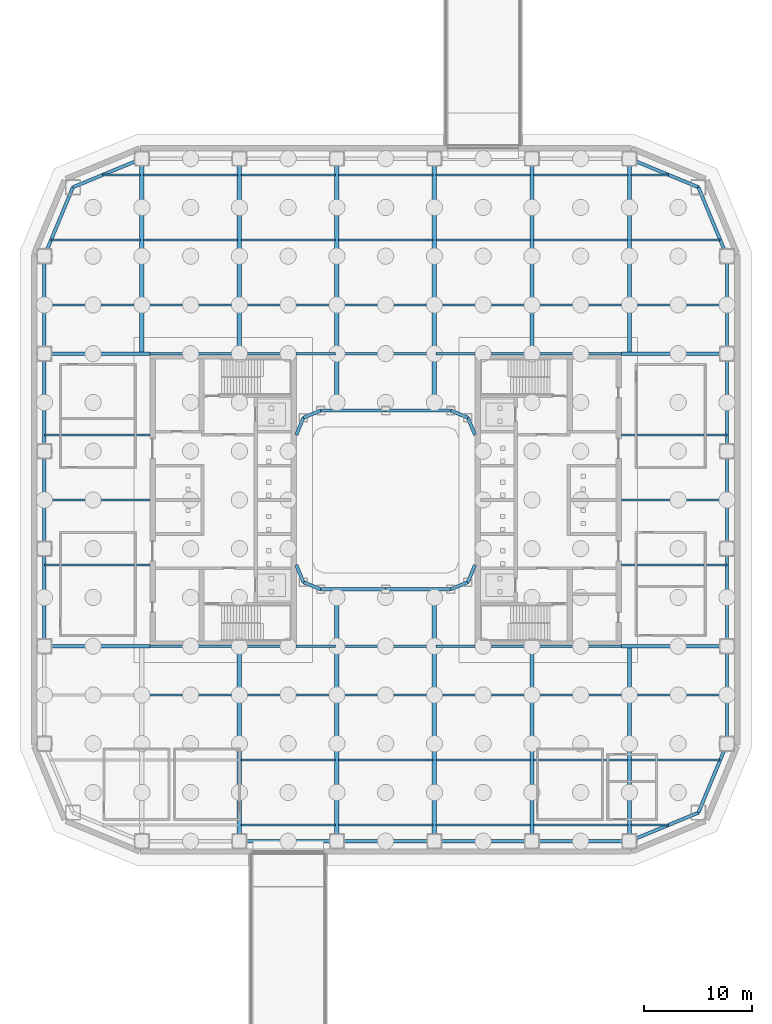
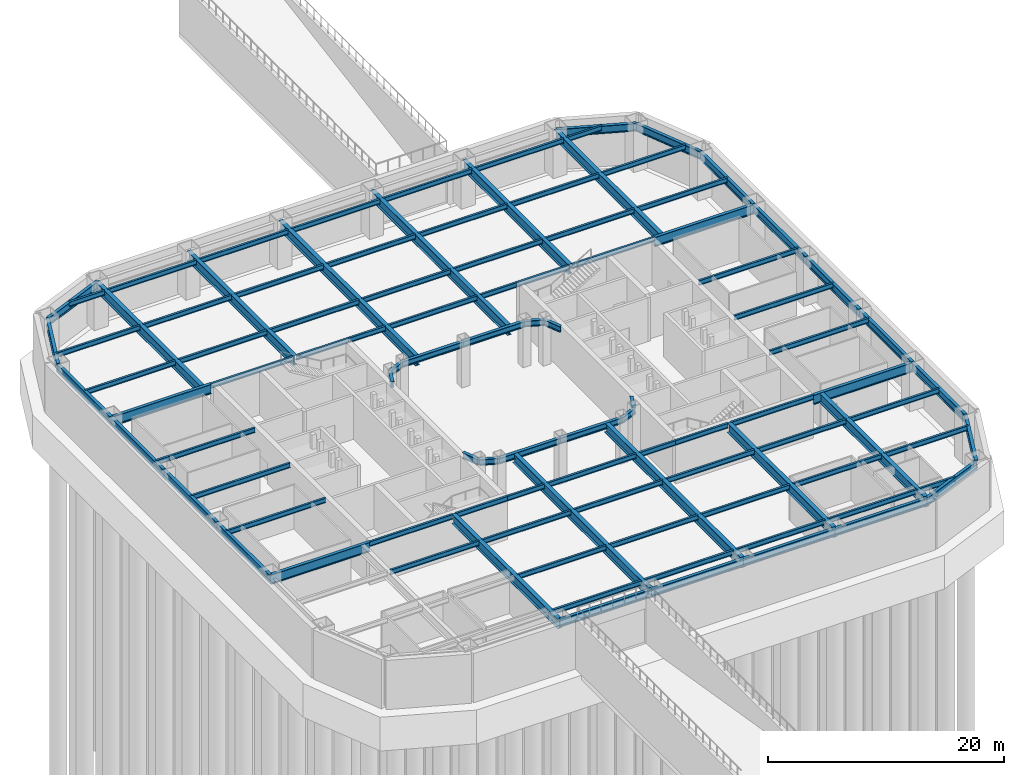
# One storey, part 2 of 10: 103 beams.
"""IFC4 building model written with IfcOpenShell, lengths in metres."""

from ifc_helpers import new_model, si_unit, direction, frame, origin, origin_2d, place, context, subcontext, project, spatial, i_section, extrude, material, material_profile, profile_set, type_object, element, save


model = new_model("IFC4")

# Units and contexts
model_context = context("Model", 3, precision=1e-05, world=origin(), true_north=direction((0.0, 1.0)))
body_context = subcontext(model_context, "Body", "Model", "MODEL_VIEW")
ifc_project = project(units=[si_unit("LENGTHUNIT", "METRE"), si_unit("AREAUNIT", "SQUARE_METRE"), si_unit("VOLUMEUNIT", "CUBIC_METRE"), si_unit("PLANEANGLEUNIT", "RADIAN"), si_unit("MASSUNIT", "GRAM", prefix="KILO")], contexts=[model_context])

# Site, building, storey
site_placement = place(None, origin())
site = spatial("IfcSite", under=ifc_project, at=site_placement, CompositionType="ELEMENT")
building_placement = place(site_placement, origin())
building = spatial("IfcBuilding", under=site, at=building_placement, Name="Siwar Civic Tower", CompositionType="ELEMENT")
storey_placement = place(building_placement, frame((0.0, 0.0, -5.0)))
storey = spatial("IfcBuildingStorey", under=building, at=storey_placement, Name="B1", CompositionType="ELEMENT", Elevation=-5.0)

# Beams
ifc_material_1 = material(Name="Steel S355", Category="steel")
ifc_material_profile_1 = material_profile(ifc_material_1, i_section(OverallWidth=0.199951171875, OverallDepth=0.5, WebThickness=0.01025390625, FlangeThickness=0.01611328125, FilletRadius=0.02099609375, at=origin_2d()), Name="IPE500")
ifc_profile_set_1 = profile_set([ifc_material_profile_1], Name="Steel S355")
beam_type_1 = type_object("IfcBeamType", Name="STR-FB-IPE500", PredefinedType="JOIST", material=ifc_profile_set_1)
for number, where, z_axis, x_axis, name in (
    (1, (-13.3701171875, -30.0, 4.300048828125), (1.0, 0.0, 0.0), (0.0, 1.0, 0.0), "B1/bm/F003"),
    (2, (-4.3701171875, -30.0, 4.300048828125), (1.0, 0.0, 0.0), (0.0, 1.0, 0.0), "B1/bm/F004"),
    (3, (4.6298828125, -30.0, 4.300048828125), (1.0, 0.0, 0.0), (0.0, 1.0, 0.0), "B1/bm/F005"),
    (4, (13.6298828125, -30.0, 4.300048828125), (1.0, 0.0, 0.0), (0.0, 1.0, 0.0), "B1/bm/F006"),
):
    element("IfcBeam", number, at=place(storey_placement, frame(where, z_axis=z_axis, x_axis=x_axis)), inside=storey, type_object=beam_type_1, Name=name, PredefinedType="JOIST", context=body_context, shape_type="SweptSolid", body=[
        extrude(i_section(OverallWidth=0.199951171875, OverallDepth=0.5, WebThickness=0.01025390625, FlangeThickness=0.01611328125, FilletRadius=0.02099609375, at=origin_2d()), origin(), (0.0, 0.0, 1.0), 8.740234375),
    ])
beam_1_placement = place(storey_placement, frame((22.6298828125, -30.0, 4.300048828125), z_axis=(1.0, 0.0, 0.0), x_axis=(0.0, 1.0, 0.0)))
element("IfcBeam", 5, at=beam_1_placement, inside=storey, type_object=beam_type_1, Name="B1/bm/F007", PredefinedType="JOIST", context=body_context, shape_type="SweptSolid", body=[
    extrude(i_section(OverallWidth=0.199951171875, OverallDepth=0.5, WebThickness=0.01025390625, FlangeThickness=0.01611328125, FilletRadius=0.02099609375, at=origin_2d()), origin(), (0.0, 0.0, 1.0), 3.491455078125),
])
for number, where, z_axis, x_axis, name in (
    (6, (-13.3701171875, -24.0, 4.300048828125), (1.0, 0.0, 0.0), (0.0, 1.0, 0.0), "B1/bm/F010"),
    (7, (-4.3701171875, -24.0, 4.300048828125), (1.0, 0.0, 0.0), (0.0, 1.0, 0.0), "B1/bm/F011"),
    (8, (4.6298828125, -24.0, 4.300048828125), (1.0, 0.0, 0.0), (0.0, 1.0, 0.0), "B1/bm/F012"),
    (9, (13.6298828125, -24.0, 4.300048828125), (1.0, 0.0, 0.0), (0.0, 1.0, 0.0), "B1/bm/F013"),
):
    element("IfcBeam", number, at=place(storey_placement, frame(where, z_axis=z_axis, x_axis=x_axis)), inside=storey, type_object=beam_type_1, Name=name, PredefinedType="JOIST", context=body_context, shape_type="SweptSolid", body=[
        extrude(i_section(OverallWidth=0.199951171875, OverallDepth=0.5, WebThickness=0.01025390625, FlangeThickness=0.01611328125, FilletRadius=0.02099609375, at=origin_2d()), origin(), (0.0, 0.0, 1.0), 8.740234375),
    ])
beam_2_placement = place(storey_placement, frame((22.6298828125, -24.0, 4.300048828125), z_axis=(1.0, 0.0, 0.0), x_axis=(0.0, 1.0, 0.0)))
element("IfcBeam", 10, at=beam_2_placement, inside=storey, type_object=beam_type_1, Name="B1/bm/F014", PredefinedType="JOIST", context=body_context, shape_type="SweptSolid", body=[
    extrude(i_section(OverallWidth=0.199951171875, OverallDepth=0.5, WebThickness=0.01025390625, FlangeThickness=0.01611328125, FilletRadius=0.02099609375, at=origin_2d()), origin(), (0.0, 0.0, 1.0), 8.248779296875),
])
for number, where, z_axis, x_axis, name in (
    (11, (-22.3701171875, -18.0, 4.300048828125), (1.0, 0.0, 0.0), (0.0, 1.0, 0.0), "B1/bm/F016"),
    (12, (-13.3701171875, -18.0, 4.300048828125), (1.0, 0.0, 0.0), (0.0, 1.0, 0.0), "B1/bm/F017"),
    (13, (-4.3701171875, -18.0, 4.300048828125), (1.0, 0.0, 0.0), (0.0, 1.0, 0.0), "B1/bm/F018"),
    (14, (4.6298828125, -18.0, 4.300048828125), (1.0, 0.0, 0.0), (0.0, 1.0, 0.0), "B1/bm/F019"),
    (15, (13.6298828125, -18.0, 4.300048828125), (1.0, 0.0, 0.0), (0.0, 1.0, 0.0), "B1/bm/F020"),
):
    element("IfcBeam", number, at=place(storey_placement, frame(where, z_axis=z_axis, x_axis=x_axis)), inside=storey, type_object=beam_type_1, Name=name, PredefinedType="JOIST", context=body_context, shape_type="SweptSolid", body=[
        extrude(i_section(OverallWidth=0.199951171875, OverallDepth=0.5, WebThickness=0.01025390625, FlangeThickness=0.01611328125, FilletRadius=0.02099609375, at=origin_2d()), origin(), (0.0, 0.0, 1.0), 8.740234375),
    ])
beam_3_placement = place(storey_placement, frame((22.6298828125, -18.0, 4.300048828125), z_axis=(1.0, 0.0, 0.0), x_axis=(0.0, 1.0, 0.0)))
element("IfcBeam", 16, at=beam_3_placement, inside=storey, type_object=beam_type_1, Name="B1/bm/F021", PredefinedType="JOIST", context=body_context, shape_type="SweptSolid", body=[
    extrude(i_section(OverallWidth=0.199951171875, OverallDepth=0.5, WebThickness=0.01025390625, FlangeThickness=0.01611328125, FilletRadius=0.02099609375, at=origin_2d()), origin(), (0.0, 0.0, 1.0), 8.8701171875),
])
beam_4_placement = place(storey_placement, frame((-21.75, -13.5, 4.300048828125), z_axis=(1.0, 0.0, 0.0), x_axis=(0.0, 1.0, 0.0)))
element("IfcBeam", 17, at=beam_4_placement, inside=storey, type_object=beam_type_1, Name="B1/bm/F023", PredefinedType="JOIST", context=body_context, shape_type="SweptSolid", body=[
    extrude(i_section(OverallWidth=0.199951171875, OverallDepth=0.5, WebThickness=0.01025390625, FlangeThickness=0.01611328125, FilletRadius=0.02099609375, at=origin_2d()), origin(), (0.0, 0.0, 1.0), 8.1201171875),
])
beam_5_placement = place(storey_placement, frame((-13.3701171875, -13.5, 4.300048828125), z_axis=(1.0, 0.0, 0.0), x_axis=(0.0, 1.0, 0.0)))
element("IfcBeam", 18, at=beam_5_placement, inside=storey, type_object=beam_type_1, Name="B1/bm/F024", PredefinedType="JOIST", context=body_context, shape_type="SweptSolid", body=[
    extrude(i_section(OverallWidth=0.199951171875, OverallDepth=0.5, WebThickness=0.01025390625, FlangeThickness=0.01611328125, FilletRadius=0.02099609375, at=origin_2d()), origin(), (0.0, 0.0, 1.0), 5.1201171875),
])
beam_6_placement = place(storey_placement, frame((-8.25, -13.5, 4.300048828125), z_axis=(1.0, 0.0, 0.0), x_axis=(0.0, 1.0, 0.0)))
element("IfcBeam", 19, at=beam_6_placement, inside=storey, type_object=beam_type_1, Name="B1/bm/F025", PredefinedType="JOIST", context=body_context, shape_type="SweptSolid", body=[
    extrude(i_section(OverallWidth=0.199951171875, OverallDepth=0.5, WebThickness=0.01025390625, FlangeThickness=0.01611328125, FilletRadius=0.02099609375, at=origin_2d()), origin(), (0.0, 0.0, 1.0), 3.6201171875),
])
beam_7_placement = place(storey_placement, frame((-4.3701171875, -13.5, 4.300048828125), z_axis=(1.0, 0.0, 0.0), x_axis=(0.0, 1.0, 0.0)))
element("IfcBeam", 20, at=beam_7_placement, inside=storey, type_object=beam_type_1, Name="B1/bm/F026", PredefinedType="JOIST", context=body_context, shape_type="SweptSolid", body=[
    extrude(i_section(OverallWidth=0.199951171875, OverallDepth=0.5, WebThickness=0.01025390625, FlangeThickness=0.01611328125, FilletRadius=0.02099609375, at=origin_2d()), origin(), (0.0, 0.0, 1.0), 8.740234375),
])
beam_8_placement = place(storey_placement, frame((4.6298828125, -13.5, 4.300048828125), z_axis=(1.0, 0.0, 0.0), x_axis=(0.0, 1.0, 0.0)))
element("IfcBeam", 21, at=beam_8_placement, inside=storey, type_object=beam_type_1, Name="B1/bm/F027", PredefinedType="JOIST", context=body_context, shape_type="SweptSolid", body=[
    extrude(i_section(OverallWidth=0.199951171875, OverallDepth=0.5, WebThickness=0.01025390625, FlangeThickness=0.01611328125, FilletRadius=0.02099609375, at=origin_2d()), origin(), (0.0, 0.0, 1.0), 3.6201171875),
])
beam_9_placement = place(storey_placement, frame((8.25, -13.5, 4.300048828125), z_axis=(1.0, 0.0, 0.0), x_axis=(0.0, 1.0, 0.0)))
element("IfcBeam", 22, at=beam_9_placement, inside=storey, type_object=beam_type_1, Name="B1/bm/F028", PredefinedType="JOIST", context=body_context, shape_type="SweptSolid", body=[
    extrude(i_section(OverallWidth=0.199951171875, OverallDepth=0.5, WebThickness=0.01025390625, FlangeThickness=0.01611328125, FilletRadius=0.02099609375, at=origin_2d()), origin(), (0.0, 0.0, 1.0), 5.1201171875),
])
beam_10_placement = place(storey_placement, frame((13.6298828125, -13.5, 4.300048828125), z_axis=(1.0, 0.0, 0.0), x_axis=(0.0, 1.0, 0.0)))
element("IfcBeam", 23, at=beam_10_placement, inside=storey, type_object=beam_type_1, Name="B1/bm/F029", PredefinedType="JOIST", context=body_context, shape_type="SweptSolid", body=[
    extrude(i_section(OverallWidth=0.199951171875, OverallDepth=0.5, WebThickness=0.01025390625, FlangeThickness=0.01611328125, FilletRadius=0.02099609375, at=origin_2d()), origin(), (0.0, 0.0, 1.0), 8.1201171875),
])
for number, where, z_axis, x_axis, name in (
    (24, (-31.5, -6.0, 4.300048828125), (1.0, 0.0, 0.0), (0.0, 1.0, 0.0), "B1/bm/F031"),
    (25, (21.75, -6.0, 4.300048828125), (1.0, 0.0, 0.0), (0.0, 1.0, 0.0), "B1/bm/F032"),
    (26, (-31.5, 0.0, 4.300048828125), (1.0, 0.0, 0.0), (0.0, 1.0, 0.0), "B1/bm/F033"),
    (27, (21.75, 0.0, 4.300048828125), (1.0, 0.0, 0.0), (0.0, 1.0, 0.0), "B1/bm/F034"),
    (28, (-31.5, 6.0, 4.300048828125), (1.0, 0.0, 0.0), (0.0, 1.0, 0.0), "B1/bm/F035"),
    (29, (21.75, 6.0, 4.300048828125), (1.0, 0.0, 0.0), (0.0, 1.0, 0.0), "B1/bm/F036"),
):
    element("IfcBeam", number, at=place(storey_placement, frame(where, z_axis=z_axis, x_axis=x_axis)), inside=storey, type_object=beam_type_1, Name=name, PredefinedType="JOIST", context=body_context, shape_type="SweptSolid", body=[
        extrude(i_section(OverallWidth=0.199951171875, OverallDepth=0.5, WebThickness=0.01025390625, FlangeThickness=0.01611328125, FilletRadius=0.02099609375, at=origin_2d()), origin(), (0.0, 0.0, 1.0), 9.75),
    ])
beam_11_placement = place(storey_placement, frame((-21.75, 13.5, 4.300048828125), z_axis=(1.0, 0.0, 0.0), x_axis=(0.0, 1.0, 0.0)))
element("IfcBeam", 30, at=beam_11_placement, inside=storey, type_object=beam_type_1, Name="B1/bm/F038", PredefinedType="JOIST", context=body_context, shape_type="SweptSolid", body=[
    extrude(i_section(OverallWidth=0.199951171875, OverallDepth=0.5, WebThickness=0.01025390625, FlangeThickness=0.01611328125, FilletRadius=0.02099609375, at=origin_2d()), origin(), (0.0, 0.0, 1.0), 8.1201171875),
])
beam_12_placement = place(storey_placement, frame((-13.3701171875, 13.5, 4.300048828125), z_axis=(1.0, 0.0, 0.0), x_axis=(0.0, 1.0, 0.0)))
element("IfcBeam", 31, at=beam_12_placement, inside=storey, type_object=beam_type_1, Name="B1/bm/F039", PredefinedType="JOIST", context=body_context, shape_type="SweptSolid", body=[
    extrude(i_section(OverallWidth=0.199951171875, OverallDepth=0.5, WebThickness=0.01025390625, FlangeThickness=0.01611328125, FilletRadius=0.02099609375, at=origin_2d()), origin(), (0.0, 0.0, 1.0), 5.1201171875),
])
beam_13_placement = place(storey_placement, frame((-8.25, 13.5, 4.300048828125), z_axis=(1.0, 0.0, 0.0), x_axis=(0.0, 1.0, 0.0)))
element("IfcBeam", 32, at=beam_13_placement, inside=storey, type_object=beam_type_1, Name="B1/bm/F040", PredefinedType="JOIST", context=body_context, shape_type="SweptSolid", body=[
    extrude(i_section(OverallWidth=0.199951171875, OverallDepth=0.5, WebThickness=0.01025390625, FlangeThickness=0.01611328125, FilletRadius=0.02099609375, at=origin_2d()), origin(), (0.0, 0.0, 1.0), 3.6201171875),
])
beam_14_placement = place(storey_placement, frame((-4.3701171875, 13.5, 4.300048828125), z_axis=(1.0, 0.0, 0.0), x_axis=(0.0, 1.0, 0.0)))
element("IfcBeam", 33, at=beam_14_placement, inside=storey, type_object=beam_type_1, Name="B1/bm/F041", PredefinedType="JOIST", context=body_context, shape_type="SweptSolid", body=[
    extrude(i_section(OverallWidth=0.199951171875, OverallDepth=0.5, WebThickness=0.01025390625, FlangeThickness=0.01611328125, FilletRadius=0.02099609375, at=origin_2d()), origin(), (0.0, 0.0, 1.0), 8.740234375),
])
beam_15_placement = place(storey_placement, frame((4.6298828125, 13.5, 4.300048828125), z_axis=(1.0, 0.0, 0.0), x_axis=(0.0, 1.0, 0.0)))
element("IfcBeam", 34, at=beam_15_placement, inside=storey, type_object=beam_type_1, Name="B1/bm/F042", PredefinedType="JOIST", context=body_context, shape_type="SweptSolid", body=[
    extrude(i_section(OverallWidth=0.199951171875, OverallDepth=0.5, WebThickness=0.01025390625, FlangeThickness=0.01611328125, FilletRadius=0.02099609375, at=origin_2d()), origin(), (0.0, 0.0, 1.0), 3.6201171875),
])
beam_16_placement = place(storey_placement, frame((8.25, 13.5, 4.300048828125), z_axis=(1.0, 0.0, 0.0), x_axis=(0.0, 1.0, 0.0)))
element("IfcBeam", 35, at=beam_16_placement, inside=storey, type_object=beam_type_1, Name="B1/bm/F043", PredefinedType="JOIST", context=body_context, shape_type="SweptSolid", body=[
    extrude(i_section(OverallWidth=0.199951171875, OverallDepth=0.5, WebThickness=0.01025390625, FlangeThickness=0.01611328125, FilletRadius=0.02099609375, at=origin_2d()), origin(), (0.0, 0.0, 1.0), 5.1201171875),
])
beam_17_placement = place(storey_placement, frame((13.6298828125, 13.5, 4.300048828125), z_axis=(1.0, 0.0, 0.0), x_axis=(0.0, 1.0, 0.0)))
element("IfcBeam", 36, at=beam_17_placement, inside=storey, type_object=beam_type_1, Name="B1/bm/F044", PredefinedType="JOIST", context=body_context, shape_type="SweptSolid", body=[
    extrude(i_section(OverallWidth=0.199951171875, OverallDepth=0.5, WebThickness=0.01025390625, FlangeThickness=0.01611328125, FilletRadius=0.02099609375, at=origin_2d()), origin(), (0.0, 0.0, 1.0), 8.1201171875),
])
beam_18_placement = place(storey_placement, frame((-31.5, 18.0, 4.300048828125), z_axis=(1.0, 0.0, 0.0), x_axis=(0.0, 1.0, 0.0)))
element("IfcBeam", 37, at=beam_18_placement, inside=storey, type_object=beam_type_1, Name="B1/bm/F046", PredefinedType="JOIST", context=body_context, shape_type="SweptSolid", body=[
    extrude(i_section(OverallWidth=0.199951171875, OverallDepth=0.5, WebThickness=0.01025390625, FlangeThickness=0.01611328125, FilletRadius=0.02099609375, at=origin_2d()), origin(), (0.0, 0.0, 1.0), 8.8701171875),
])
for number, where, z_axis, x_axis, name in (
    (38, (-22.3701171875, 18.0, 4.300048828125), (1.0, 0.0, 0.0), (0.0, 1.0, 0.0), "B1/bm/F047"),
    (39, (-13.3701171875, 18.0, 4.300048828125), (1.0, 0.0, 0.0), (0.0, 1.0, 0.0), "B1/bm/F048"),
    (40, (-4.3701171875, 18.0, 4.300048828125), (1.0, 0.0, 0.0), (0.0, 1.0, 0.0), "B1/bm/F049"),
    (41, (4.6298828125, 18.0, 4.300048828125), (1.0, 0.0, 0.0), (0.0, 1.0, 0.0), "B1/bm/F050"),
    (42, (13.6298828125, 18.0, 4.300048828125), (1.0, 0.0, 0.0), (0.0, 1.0, 0.0), "B1/bm/F051"),
):
    element("IfcBeam", number, at=place(storey_placement, frame(where, z_axis=z_axis, x_axis=x_axis)), inside=storey, type_object=beam_type_1, Name=name, PredefinedType="JOIST", context=body_context, shape_type="SweptSolid", body=[
        extrude(i_section(OverallWidth=0.199951171875, OverallDepth=0.5, WebThickness=0.01025390625, FlangeThickness=0.01611328125, FilletRadius=0.02099609375, at=origin_2d()), origin(), (0.0, 0.0, 1.0), 8.740234375),
    ])
beam_19_placement = place(storey_placement, frame((22.6298828125, 18.0, 4.300048828125), z_axis=(1.0, 0.0, 0.0), x_axis=(0.0, 1.0, 0.0)))
element("IfcBeam", 43, at=beam_19_placement, inside=storey, type_object=beam_type_1, Name="B1/bm/F052", PredefinedType="JOIST", context=body_context, shape_type="SweptSolid", body=[
    extrude(i_section(OverallWidth=0.199951171875, OverallDepth=0.5, WebThickness=0.01025390625, FlangeThickness=0.01611328125, FilletRadius=0.02099609375, at=origin_2d()), origin(), (0.0, 0.0, 1.0), 8.8701171875),
])
beam_20_placement = place(storey_placement, frame((-30.878662109375, 24.0, 4.300048828125), z_axis=(1.0, 0.0, 0.0), x_axis=(0.0, 1.0, 0.0)))
element("IfcBeam", 44, at=beam_20_placement, inside=storey, type_object=beam_type_1, Name="B1/bm/F053", PredefinedType="JOIST", context=body_context, shape_type="SweptSolid", body=[
    extrude(i_section(OverallWidth=0.199951171875, OverallDepth=0.5, WebThickness=0.01025390625, FlangeThickness=0.01611328125, FilletRadius=0.02099609375, at=origin_2d()), origin(), (0.0, 0.0, 1.0), 8.248779296875),
])
for number, where, z_axis, x_axis, name in (
    (45, (-22.3701171875, 24.0, 4.300048828125), (1.0, 0.0, 0.0), (0.0, 1.0, 0.0), "B1/bm/F054"),
    (46, (-13.3701171875, 24.0, 4.300048828125), (1.0, 0.0, 0.0), (0.0, 1.0, 0.0), "B1/bm/F055"),
    (47, (-4.3701171875, 24.0, 4.300048828125), (1.0, 0.0, 0.0), (0.0, 1.0, 0.0), "B1/bm/F056"),
    (48, (4.6298828125, 24.0, 4.300048828125), (1.0, 0.0, 0.0), (0.0, 1.0, 0.0), "B1/bm/F057"),
    (49, (13.6298828125, 24.0, 4.300048828125), (1.0, 0.0, 0.0), (0.0, 1.0, 0.0), "B1/bm/F058"),
):
    element("IfcBeam", number, at=place(storey_placement, frame(where, z_axis=z_axis, x_axis=x_axis)), inside=storey, type_object=beam_type_1, Name=name, PredefinedType="JOIST", context=body_context, shape_type="SweptSolid", body=[
        extrude(i_section(OverallWidth=0.199951171875, OverallDepth=0.5, WebThickness=0.01025390625, FlangeThickness=0.01611328125, FilletRadius=0.02099609375, at=origin_2d()), origin(), (0.0, 0.0, 1.0), 8.740234375),
    ])
beam_21_placement = place(storey_placement, frame((22.6298828125, 24.0, 4.300048828125), z_axis=(1.0, 0.0, 0.0), x_axis=(0.0, 1.0, 0.0)))
element("IfcBeam", 50, at=beam_21_placement, inside=storey, type_object=beam_type_1, Name="B1/bm/F059", PredefinedType="JOIST", context=body_context, shape_type="SweptSolid", body=[
    extrude(i_section(OverallWidth=0.199951171875, OverallDepth=0.5, WebThickness=0.01025390625, FlangeThickness=0.01611328125, FilletRadius=0.02099609375, at=origin_2d()), origin(), (0.0, 0.0, 1.0), 8.248779296875),
])
beam_22_placement = place(storey_placement, frame((-26.121337890625, 30.0, 4.300048828125), z_axis=(1.0, 0.0, 0.0), x_axis=(0.0, 1.0, 0.0)))
element("IfcBeam", 51, at=beam_22_placement, inside=storey, type_object=beam_type_1, Name="B1/bm/F060", PredefinedType="JOIST", context=body_context, shape_type="SweptSolid", body=[
    extrude(i_section(OverallWidth=0.199951171875, OverallDepth=0.5, WebThickness=0.01025390625, FlangeThickness=0.01611328125, FilletRadius=0.02099609375, at=origin_2d()), origin(), (0.0, 0.0, 1.0), 3.491455078125),
])
for number, where, z_axis, x_axis, name in (
    (52, (-22.3701171875, 30.0, 4.300048828125), (1.0, 0.0, 0.0), (0.0, 1.0, 0.0), "B1/bm/F061"),
    (53, (-13.3701171875, 30.0, 4.300048828125), (1.0, 0.0, 0.0), (0.0, 1.0, 0.0), "B1/bm/F062"),
    (54, (-4.3701171875, 30.0, 4.300048828125), (1.0, 0.0, 0.0), (0.0, 1.0, 0.0), "B1/bm/F063"),
    (55, (4.6298828125, 30.0, 4.300048828125), (1.0, 0.0, 0.0), (0.0, 1.0, 0.0), "B1/bm/F064"),
    (56, (13.6298828125, 30.0, 4.300048828125), (1.0, 0.0, 0.0), (0.0, 1.0, 0.0), "B1/bm/F065"),
):
    element("IfcBeam", number, at=place(storey_placement, frame(where, z_axis=z_axis, x_axis=x_axis)), inside=storey, type_object=beam_type_1, Name=name, PredefinedType="JOIST", context=body_context, shape_type="SweptSolid", body=[
        extrude(i_section(OverallWidth=0.199951171875, OverallDepth=0.5, WebThickness=0.01025390625, FlangeThickness=0.01611328125, FilletRadius=0.02099609375, at=origin_2d()), origin(), (0.0, 0.0, 1.0), 8.740234375),
    ])
beam_23_placement = place(storey_placement, frame((22.6298828125, 30.0, 4.300048828125), z_axis=(1.0, 0.0, 0.0), x_axis=(0.0, 1.0, 0.0)))
element("IfcBeam", 57, at=beam_23_placement, inside=storey, type_object=beam_type_1, Name="B1/bm/F066", PredefinedType="JOIST", context=body_context, shape_type="SweptSolid", body=[
    extrude(i_section(OverallWidth=0.199951171875, OverallDepth=0.5, WebThickness=0.01025390625, FlangeThickness=0.01611328125, FilletRadius=0.02099609375, at=origin_2d()), origin(), (0.0, 0.0, 1.0), 3.491455078125),
])
ifc_material_2 = material(Name="Steel S355", Category="steel")
ifc_material_profile_2 = material_profile(ifc_material_2, i_section(OverallWidth=0.300048828125, OverallDepth=1.0, WebThickness=0.01904296875, FlangeThickness=0.035888671875, FilletRadius=0.030029296875, at=origin_2d()), Name="HEB1000")
ifc_profile_set_2 = profile_set([ifc_material_profile_2], Name="Steel S355")
beam_type_2 = type_object("IfcBeamType", Name="STR-PG-HEB1000", PredefinedType="BEAM", material=ifc_profile_set_2)
for number, where, z_axis, x_axis, name in (
    (58, (-31.5, -13.5, 4.050048828125), (1.0, 0.0, 0.0), (0.0, 1.0, 0.0), "B1/bm/F022"),
    (59, (21.75, -13.5, 4.050048828125), (1.0, 0.0, 0.0), (0.0, 1.0, 0.0), "B1/bm/F030"),
    (60, (-31.5, 13.5, 4.050048828125), (1.0, 0.0, 0.0), (0.0, 1.0, 0.0), "B1/bm/F037"),
    (61, (21.75, 13.5, 4.050048828125), (1.0, 0.0, 0.0), (0.0, 1.0, 0.0), "B1/bm/F045"),
):
    element("IfcBeam", number, at=place(storey_placement, frame(where, z_axis=z_axis, x_axis=x_axis)), inside=storey, type_object=beam_type_2, Name=name, PredefinedType="BEAM", context=body_context, shape_type="SweptSolid", body=[
        extrude(i_section(OverallWidth=0.300048828125, OverallDepth=1.0, WebThickness=0.01904296875, FlangeThickness=0.035888671875, FilletRadius=0.030029296875, at=origin_2d()), origin(), (0.0, 0.0, 1.0), 9.75),
    ])
ifc_material_3 = material(Name="Steel S355", Category="steel")
ifc_material_profile_3 = material_profile(ifc_material_3, i_section(OverallWidth=0.39990234375, OverallDepth=1.0, WebThickness=0.01611328125, FlangeThickness=0.0400390625, at=origin_2d()), Name="PG1000x400x16x40")
ifc_profile_set_3 = profile_set([ifc_material_profile_3], Name="Steel S355")
beam_type_3 = type_object("IfcBeamType", Name="STR-PG-PG1000x400x16x40", PredefinedType="BEAM", material=ifc_profile_set_3)
for number, where, z_axis, x_axis, name in (
    (62, (-22.5, 13.5, 4.050048828125), (0.0, 1.0, 0.0), (-1.0, 0.0, 0.0), "B1/bm/G02"),
    (63, (-13.5, -31.5, 4.050048828125), (0.0, 1.0, 0.0), (-1.0, 0.0, 0.0), "B1/bm/G03"),
    (64, (-13.5, 13.5, 4.050048828125), (0.0, 1.0, 0.0), (-1.0, 0.0, 0.0), "B1/bm/G04"),
):
    element("IfcBeam", number, at=place(storey_placement, frame(where, z_axis=z_axis, x_axis=x_axis)), inside=storey, type_object=beam_type_3, Name=name, PredefinedType="BEAM", context=body_context, shape_type="SweptSolid", body=[
        extrude(i_section(OverallWidth=0.39990234375, OverallDepth=1.0, WebThickness=0.01611328125, FlangeThickness=0.0400390625, at=origin_2d()), origin(), (0.0, 0.0, 1.0), 18.0),
    ])
for number, where, z_axis, x_axis, name in (
    (65, (-4.5, -31.5, 4.050048828125), (0.0, 1.0, 0.0), (-1.0, 0.0, 0.0), "B1/bm/G05"),
    (66, (-4.5, 8.25, 4.050048828125), (0.0, 1.0, 0.0), (-1.0, 0.0, 0.0), "B1/bm/G06"),
    (67, (4.5, -31.5, 4.050048828125), (0.0, 1.0, 0.0), (-1.0, 0.0, 0.0), "B1/bm/G07"),
    (68, (4.5, 8.25, 4.050048828125), (0.0, 1.0, 0.0), (-1.0, 0.0, 0.0), "B1/bm/G08"),
):
    element("IfcBeam", number, at=place(storey_placement, frame(where, z_axis=z_axis, x_axis=x_axis)), inside=storey, type_object=beam_type_3, Name=name, PredefinedType="BEAM", context=body_context, shape_type="SweptSolid", body=[
        extrude(i_section(OverallWidth=0.39990234375, OverallDepth=1.0, WebThickness=0.01611328125, FlangeThickness=0.0400390625, at=origin_2d()), origin(), (0.0, 0.0, 1.0), 23.25),
    ])
for number, where, z_axis, x_axis, name in (
    (69, (13.5, -31.5, 4.050048828125), (0.0, 1.0, 0.0), (-1.0, 0.0, 0.0), "B1/bm/G09"),
    (70, (13.5, 13.5, 4.050048828125), (0.0, 1.0, 0.0), (-1.0, 0.0, 0.0), "B1/bm/G10"),
    (71, (22.5, -31.5, 4.050048828125), (0.0, 1.0, 0.0), (-1.0, 0.0, 0.0), "B1/bm/G11"),
    (72, (22.5, 13.5, 4.050048828125), (0.0, 1.0, 0.0), (-1.0, 0.0, 0.0), "B1/bm/G12"),
):
    element("IfcBeam", number, at=place(storey_placement, frame(where, z_axis=z_axis, x_axis=x_axis)), inside=storey, type_object=beam_type_3, Name=name, PredefinedType="BEAM", context=body_context, shape_type="SweptSolid", body=[
        extrude(i_section(OverallWidth=0.39990234375, OverallDepth=1.0, WebThickness=0.01611328125, FlangeThickness=0.0400390625, at=origin_2d()), origin(), (0.0, 0.0, 1.0), 18.0),
    ])
ifc_material_4 = material(Name="Steel S355", Category="steel")
ifc_material_profile_4 = material_profile(ifc_material_4, i_section(OverallWidth=0.304931640625, OverallDepth=0.6201171875, WebThickness=0.02099609375, FlangeThickness=0.0400390625, FilletRadius=0.027099609375, at=origin_2d()), Name="HEM600")
ifc_profile_set_4 = profile_set([ifc_material_profile_4], Name="Steel S355")
beam_type_4 = type_object("IfcBeamType", Name="STR-RB-HEM600", PredefinedType="BEAM", material=ifc_profile_set_4)
beam_24_placement = place(storey_placement, frame((-7.591064453125, 7.591064453125, 4.239990234375), z_axis=(0.923901072997, 0.382631424892, 0.0), x_axis=(-0.382631424892, 0.923901072997, 0.0)))
element("IfcBeam", 73, at=beam_24_placement, inside=storey, type_object=beam_type_4, Name="B1/bm/RN0", PredefinedType="BEAM", context=body_context, shape_type="SweptSolid", body=[
    extrude(i_section(OverallWidth=0.304931640625, OverallDepth=0.6201171875, WebThickness=0.02099609375, FlangeThickness=0.0400390625, FilletRadius=0.027099609375, at=origin_2d()), origin(), (0.0, 0.0, 1.0), 1.72216796875),
])
for number, where, z_axis, x_axis, name in (
    (74, (-6.0, 8.25, 4.239990234375), (1.0, 0.0, 0.0), (0.0, 1.0, 0.0), "B1/bm/RN1"),
    (75, (0.0, 8.25, 4.239990234375), (1.0, 0.0, 0.0), (0.0, 1.0, 0.0), "B1/bm/RN2"),
):
    element("IfcBeam", number, at=place(storey_placement, frame(where, z_axis=z_axis, x_axis=x_axis)), inside=storey, type_object=beam_type_4, Name=name, PredefinedType="BEAM", context=body_context, shape_type="SweptSolid", body=[
        extrude(i_section(OverallWidth=0.304931640625, OverallDepth=0.6201171875, WebThickness=0.02099609375, FlangeThickness=0.0400390625, FilletRadius=0.027099609375, at=origin_2d()), origin(), (0.0, 0.0, 1.0), 6.0),
    ])
for number, where, z_axis, x_axis, name in (
    (76, (6.0, 8.25, 4.239990234375), (0.923901072997, -0.382631424892, 0.0), (0.382631424892, 0.923901072997, 0.0), "B1/bm/RN3"),
    (77, (-7.591064453125, 7.591064453125, 4.239990234375), (-0.382631424892, -0.923901072997, 0.0), (0.923901072997, -0.382631424892, 0.0), "B1/bm/RNEW"),
    (78, (7.591064453125, 7.591064453125, 4.239990234375), (0.382631424892, -0.923901072997, 0.0), (0.923901072997, 0.382631424892, 0.0), "B1/bm/RNEE"),
    (79, (-7.591064453125, -7.591064453125, 4.239990234375), (0.923901072997, -0.382631424892, 0.0), (0.382631424892, 0.923901072997, 0.0), "B1/bm/RS0"),
):
    element("IfcBeam", number, at=place(storey_placement, frame(where, z_axis=z_axis, x_axis=x_axis)), inside=storey, type_object=beam_type_4, Name=name, PredefinedType="BEAM", context=body_context, shape_type="SweptSolid", body=[
        extrude(i_section(OverallWidth=0.304931640625, OverallDepth=0.6201171875, WebThickness=0.02099609375, FlangeThickness=0.0400390625, FilletRadius=0.027099609375, at=origin_2d()), origin(), (0.0, 0.0, 1.0), 1.72216796875),
    ])
for number, where, z_axis, x_axis, name in (
    (80, (-6.0, -8.25, 4.239990234375), (1.0, 0.0, 0.0), (0.0, 1.0, 0.0), "B1/bm/RS1"),
    (81, (0.0, -8.25, 4.239990234375), (1.0, 0.0, 0.0), (0.0, 1.0, 0.0), "B1/bm/RS2"),
):
    element("IfcBeam", number, at=place(storey_placement, frame(where, z_axis=z_axis, x_axis=x_axis)), inside=storey, type_object=beam_type_4, Name=name, PredefinedType="BEAM", context=body_context, shape_type="SweptSolid", body=[
        extrude(i_section(OverallWidth=0.304931640625, OverallDepth=0.6201171875, WebThickness=0.02099609375, FlangeThickness=0.0400390625, FilletRadius=0.027099609375, at=origin_2d()), origin(), (0.0, 0.0, 1.0), 6.0),
    ])
for number, where, z_axis, x_axis, name in (
    (82, (6.0, -8.25, 4.239990234375), (0.923901072997, 0.382631424892, 0.0), (-0.382631424892, 0.923901072997, 0.0), "B1/bm/RS3"),
    (83, (-7.591064453125, -7.591064453125, 4.239990234375), (-0.382631424892, 0.923901072997, 0.0), (-0.923901072997, -0.382631424892, 0.0), "B1/bm/RSEW"),
    (84, (7.591064453125, -7.591064453125, 4.239990234375), (0.382631424892, 0.923901072997, 0.0), (-0.923901072997, 0.382631424892, 0.0), "B1/bm/RSEE"),
):
    element("IfcBeam", number, at=place(storey_placement, frame(where, z_axis=z_axis, x_axis=x_axis)), inside=storey, type_object=beam_type_4, Name=name, PredefinedType="BEAM", context=body_context, shape_type="SweptSolid", body=[
        extrude(i_section(OverallWidth=0.304931640625, OverallDepth=0.6201171875, WebThickness=0.02099609375, FlangeThickness=0.0400390625, FilletRadius=0.027099609375, at=origin_2d()), origin(), (0.0, 0.0, 1.0), 1.72216796875),
    ])
ifc_material_5 = material(Name="Steel S355", Category="steel")
ifc_material_profile_5 = material_profile(ifc_material_5, i_section(OverallWidth=0.302978515625, OverallDepth=0.81396484375, WebThickness=0.02099609375, FlangeThickness=0.0400390625, FilletRadius=0.030029296875, at=origin_2d()), Name="HEM800")
ifc_profile_set_5 = profile_set([ifc_material_profile_5], Name="Steel S355")
beam_type_5 = type_object("IfcBeamType", Name="STR-SB-HEM800", PredefinedType="BEAM", material=ifc_profile_set_5)
for number, where, z_axis, x_axis, name in (
    (85, (-13.5, -31.5, 4.14306640625), (1.0, 0.0, 0.0), (0.0, 1.0, 0.0), "B1/bm/SS-1"),
    (86, (-4.5, -31.5, 4.14306640625), (1.0, 0.0, 0.0), (0.0, 1.0, 0.0), "B1/bm/SS-2"),
    (87, (4.5, -31.5, 4.14306640625), (1.0, 0.0, 0.0), (0.0, 1.0, 0.0), "B1/bm/SS-3"),
    (88, (13.5, -31.5, 4.14306640625), (1.0, 0.0, 0.0), (0.0, 1.0, 0.0), "B1/bm/SS-4"),
):
    element("IfcBeam", number, at=place(storey_placement, frame(where, z_axis=z_axis, x_axis=x_axis)), inside=storey, type_object=beam_type_5, Name=name, PredefinedType="BEAM", context=body_context, shape_type="SweptSolid", body=[
        extrude(i_section(OverallWidth=0.302978515625, OverallDepth=0.81396484375, WebThickness=0.02099609375, FlangeThickness=0.0400390625, FilletRadius=0.030029296875, at=origin_2d()), origin(), (0.0, 0.0, 1.0), 9.0),
    ])
for number, where, z_axis, x_axis, name in (
    (89, (22.5, -31.5, 4.14306640625), (0.923883353507, 0.382674207535, 0.0), (-0.382674207535, 0.923883353507, 0.0), "B1/bm/SSE1-0"),
    (90, (28.864013671875, -28.864013671875, 4.14306640625), (0.382674207535, 0.923883353507, 0.0), (-0.923883353507, 0.382674207535, 0.0), "B1/bm/SSE2-0"),
):
    element("IfcBeam", number, at=place(storey_placement, frame(where, z_axis=z_axis, x_axis=x_axis)), inside=storey, type_object=beam_type_5, Name=name, PredefinedType="BEAM", context=body_context, shape_type="SweptSolid", body=[
        extrude(i_section(OverallWidth=0.302978515625, OverallDepth=0.81396484375, WebThickness=0.02099609375, FlangeThickness=0.0400390625, FilletRadius=0.030029296875, at=origin_2d()), origin(), (0.0, 0.0, 1.0), 6.888427734375),
    ])
for number, where, z_axis, x_axis, name in (
    (91, (31.5, -22.5, 4.14306640625), (0.0, 1.0, 0.0), (-1.0, 0.0, 0.0), "B1/bm/SE-0"),
    (92, (31.5, -13.5, 4.14306640625), (0.0, 1.0, 0.0), (-1.0, 0.0, 0.0), "B1/bm/SE-1"),
    (93, (31.5, -4.5, 4.14306640625), (0.0, 1.0, 0.0), (-1.0, 0.0, 0.0), "B1/bm/SE-2"),
    (94, (31.5, 4.5, 4.14306640625), (0.0, 1.0, 0.0), (-1.0, 0.0, 0.0), "B1/bm/SE-3"),
    (95, (31.5, 13.5, 4.14306640625), (0.0, 1.0, 0.0), (-1.0, 0.0, 0.0), "B1/bm/SE-4"),
):
    element("IfcBeam", number, at=place(storey_placement, frame(where, z_axis=z_axis, x_axis=x_axis)), inside=storey, type_object=beam_type_5, Name=name, PredefinedType="BEAM", context=body_context, shape_type="SweptSolid", body=[
        extrude(i_section(OverallWidth=0.302978515625, OverallDepth=0.81396484375, WebThickness=0.02099609375, FlangeThickness=0.0400390625, FilletRadius=0.030029296875, at=origin_2d()), origin(), (0.0, 0.0, 1.0), 9.0),
    ])
for number, where, z_axis, x_axis, name in (
    (96, (31.5, 22.5, 4.14306640625), (-0.382674207535, 0.923883353507, 0.0), (-0.923883353507, -0.382674207535, 0.0), "B1/bm/SNE1-0"),
    (97, (28.864013671875, 28.864013671875, 4.14306640625), (-0.923883353507, 0.382674207535, 0.0), (-0.382674207535, -0.923883353507, 0.0), "B1/bm/SNE2-0"),
    (98, (-22.5, 31.5, 4.14306640625), (-0.923883353507, -0.382674207535, 0.0), (0.382674207535, -0.923883353507, 0.0), "B1/bm/SNW1-0"),
    (99, (-28.864013671875, 28.864013671875, 4.14306640625), (-0.382674207535, -0.923883353507, 0.0), (0.923883353507, -0.382674207535, 0.0), "B1/bm/SNW2-0"),
):
    element("IfcBeam", number, at=place(storey_placement, frame(where, z_axis=z_axis, x_axis=x_axis)), inside=storey, type_object=beam_type_5, Name=name, PredefinedType="BEAM", context=body_context, shape_type="SweptSolid", body=[
        extrude(i_section(OverallWidth=0.302978515625, OverallDepth=0.81396484375, WebThickness=0.02099609375, FlangeThickness=0.0400390625, FilletRadius=0.030029296875, at=origin_2d()), origin(), (0.0, 0.0, 1.0), 6.888427734375),
    ])
for number, where, z_axis, x_axis, name in (
    (100, (-31.5, 22.5, 4.14306640625), (0.0, -1.0, 0.0), (1.0, 0.0, 0.0), "B1/bm/SW-0"),
    (101, (-31.5, 13.5, 4.14306640625), (0.0, -1.0, 0.0), (1.0, 0.0, 0.0), "B1/bm/SW-1"),
    (102, (-31.5, 4.5, 4.14306640625), (0.0, -1.0, 0.0), (1.0, 0.0, 0.0), "B1/bm/SW-2"),
    (103, (-31.5, -4.5, 4.14306640625), (0.0, -1.0, 0.0), (1.0, 0.0, 0.0), "B1/bm/SW-3"),
):
    element("IfcBeam", number, at=place(storey_placement, frame(where, z_axis=z_axis, x_axis=x_axis)), inside=storey, type_object=beam_type_5, Name=name, PredefinedType="BEAM", context=body_context, shape_type="SweptSolid", body=[
        extrude(i_section(OverallWidth=0.302978515625, OverallDepth=0.81396484375, WebThickness=0.02099609375, FlangeThickness=0.0400390625, FilletRadius=0.030029296875, at=origin_2d()), origin(), (0.0, 0.0, 1.0), 9.0),
    ])

save(model, "model.ifc")
